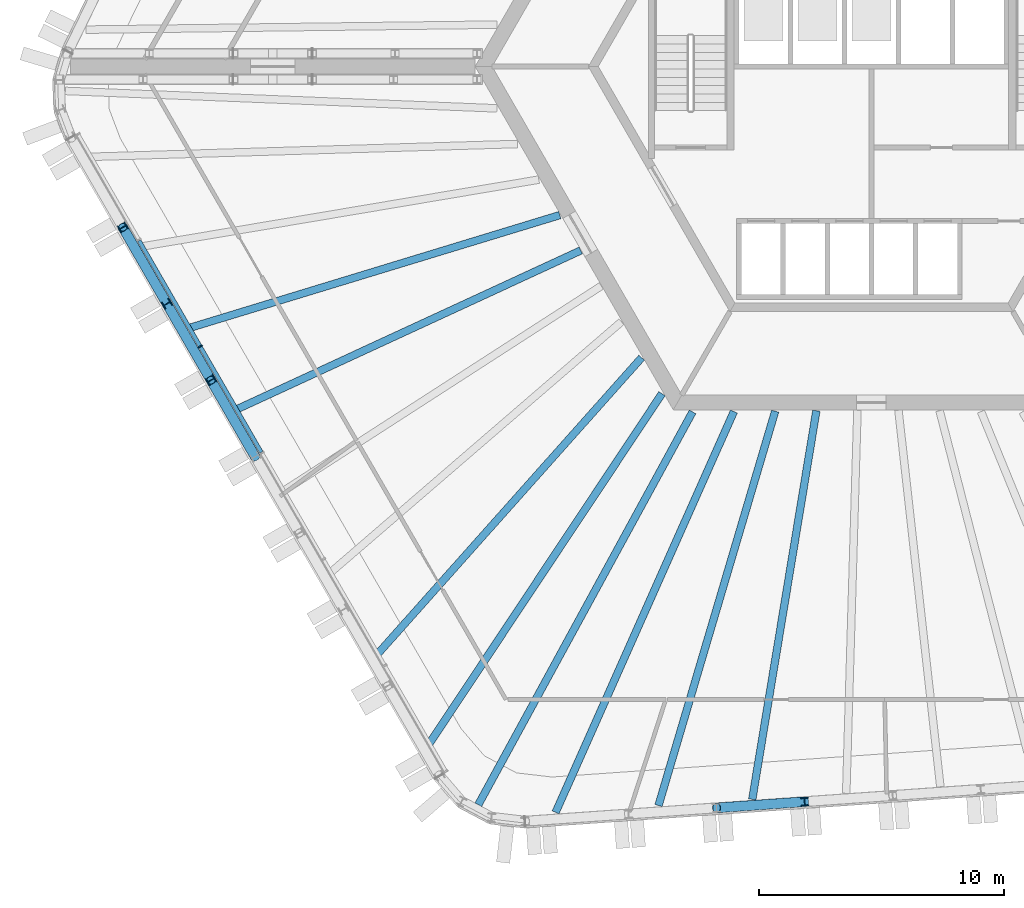
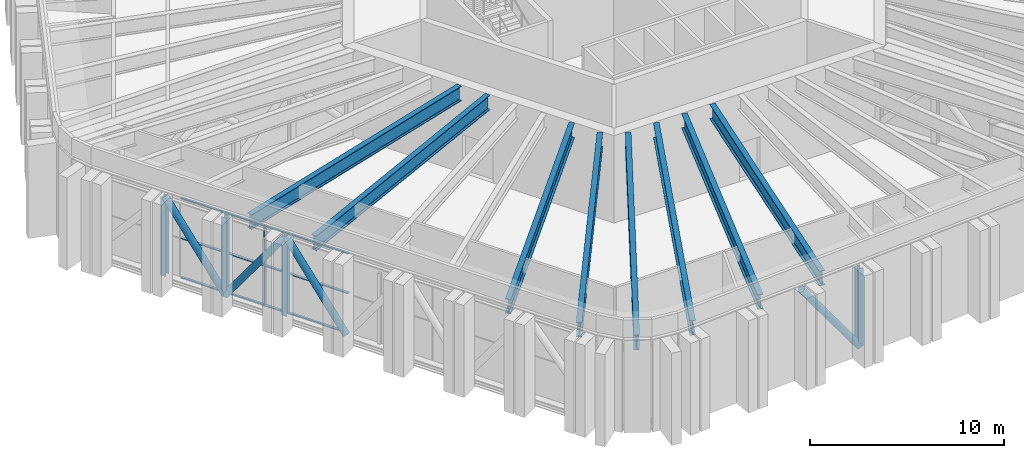
# One storey, part 2 of 27: 15 members, 8 beams, 1 element without a shape of its own.
"""IFC4 building model written with IfcOpenShell, lengths in metres."""

from ifc_helpers import new_model, si_unit, direction, frame, origin, origin_2d, place, context, subcontext, project, spatial, rectangle, hollow_circle, i_section, extrude, material, material_profile, profile_set, type_object, element, aggregate, save


model = new_model("IFC4")

# Units and contexts
model_context = context("Model", 3, precision=1e-05, world=origin(), true_north=direction((0.0, 1.0)))
body_context = subcontext(model_context, "Body", "Model", "MODEL_VIEW")
ifc_project = project(units=[si_unit("LENGTHUNIT", "METRE"), si_unit("AREAUNIT", "SQUARE_METRE"), si_unit("VOLUMEUNIT", "CUBIC_METRE"), si_unit("PLANEANGLEUNIT", "RADIAN"), si_unit("MASSUNIT", "GRAM", prefix="KILO")], contexts=[model_context])

# Site, building, storey
site_placement = place(None, origin())
site = spatial("IfcSite", under=ifc_project, at=site_placement, CompositionType="ELEMENT")
building_placement = place(site_placement, origin())
building = spatial("IfcBuilding", under=site, at=building_placement, Name="Tarnside Tower", CompositionType="ELEMENT")
storey_placement = place(building_placement, frame((0.0, 0.0, 146.699951171875)))
storey = spatial("IfcBuildingStorey", under=building, at=storey_placement, Name="L34", CompositionType="ELEMENT", Elevation=146.699951171875)

# Beams
ifc_material_1 = material(Name="Steel S355", Category="steel")
ifc_material_profile_1 = material_profile(ifc_material_1, i_section(OverallWidth=0.3076171875, OverallDepth=0.926513671875, WebThickness=0.01953125, FlangeThickness=0.031982421875, FilletRadius=0.01904296875, at=origin_2d()), Name="UB 914x305x289")
ifc_profile_set_1 = profile_set([ifc_material_profile_1], Name="Steel S355")
beam_type = type_object("IfcBeamType", Name="Floor beam UB 914x305x289", PredefinedType="BEAM", material=ifc_profile_set_1)
beam_1_placement = place(storey_placement, frame((-27.875, -10.67919921875, 5.036865234375), z_axis=(0.956592887918, 0.291427601274, 0.0), x_axis=(-0.291427601274, 0.956592887918, 0.0)))
element("IfcBeam", 1, at=beam_1_placement, inside=storey, type_object=beam_type, Name="Floor beam F3.03", PredefinedType="BEAM", context=body_context, shape_type="SweptSolid", body=[
    extrude(i_section(OverallWidth=0.3076171875, OverallDepth=0.926513671875, WebThickness=0.01953125, FlangeThickness=0.031982421875, FilletRadius=0.01904296875, at=origin_2d()), origin(), (0.0, 0.0, 1.0), 15.850830078125),
])
beam_2_placement = place(storey_placement, frame((-25.968994140625, -14.0185546875, 5.036865234375), z_axis=(0.907877997669, 0.419234470611, 0.0), x_axis=(-0.419234470611, 0.907877997669, 0.0)))
element("IfcBeam", 2, at=beam_2_placement, inside=storey, type_object=beam_type, Name="Floor beam F3.04", PredefinedType="BEAM", context=body_context, shape_type="SweptSolid", body=[
    extrude(i_section(OverallWidth=0.3076171875, OverallDepth=0.926513671875, WebThickness=0.01953125, FlangeThickness=0.031982421875, FilletRadius=0.01904296875, at=origin_2d()), origin(), (0.0, 0.0, 1.0), 15.54345703125),
])
beam_3_placement = place(storey_placement, frame((-20.168701171875, -23.99072265625, 5.036865234375), z_axis=(0.665232885206, 0.746635927638, 0.0), x_axis=(-0.746635927638, 0.665232885206, 0.0)))
element("IfcBeam", 3, at=beam_3_placement, inside=storey, type_object=beam_type, Name="Floor beam F3.07", PredefinedType="BEAM", context=body_context, shape_type="SweptSolid", body=[
    extrude(i_section(OverallWidth=0.3076171875, OverallDepth=0.926513671875, WebThickness=0.01953125, FlangeThickness=0.031982421875, FilletRadius=0.01904296875, at=origin_2d()), origin(), (0.0, 0.0, 1.0), 16.225341796875),
])
beam_4_placement = place(storey_placement, frame((-18.046142578125, -27.6376953125, 5.036865234375), z_axis=(0.553577074401, 0.832797948303, 0.0), x_axis=(-0.832797948303, 0.553577074401, 0.0)))
element("IfcBeam", 4, at=beam_4_placement, inside=storey, type_object=beam_type, Name="Floor beam F3.08", PredefinedType="BEAM", context=body_context, shape_type="SweptSolid", body=[
    extrude(i_section(OverallWidth=0.3076171875, OverallDepth=0.926513671875, WebThickness=0.01953125, FlangeThickness=0.031982421875, FilletRadius=0.01904296875, at=origin_2d()), origin(), (0.0, 0.0, 1.0), 17.163818359375),
])
beam_5_placement = place(storey_placement, frame((-16.035400390625, -30.109375, 5.036865234375), z_axis=(0.478863378022, 0.877889437907, 0.0), x_axis=(-0.877889437907, 0.478863378022, 0.0)))
element("IfcBeam", 5, at=beam_5_placement, inside=storey, type_object=beam_type, Name="Floor beam C3", PredefinedType="BEAM", context=body_context, shape_type="SweptSolid", body=[
    extrude(i_section(OverallWidth=0.3076171875, OverallDepth=0.926513671875, WebThickness=0.01953125, FlangeThickness=0.031982421875, FilletRadius=0.01904296875, at=origin_2d()), origin(), (0.0, 0.0, 1.0), 18.25),
])
beam_6_placement = place(storey_placement, frame((-12.882080078125, -30.4208984375, 5.036865234375), z_axis=(0.406384066627, 0.913702353281, 0.0), x_axis=(-0.913702353281, 0.406384066627, 0.0)))
element("IfcBeam", 6, at=beam_6_placement, inside=storey, type_object=beam_type, Name="Floor beam F4.01", PredefinedType="BEAM", context=body_context, shape_type="SweptSolid", body=[
    extrude(i_section(OverallWidth=0.3076171875, OverallDepth=0.926513671875, WebThickness=0.01953125, FlangeThickness=0.031982421875, FilletRadius=0.01904296875, at=origin_2d()), origin(), (0.0, 0.0, 1.0), 17.891845703125),
])
beam_7_placement = place(storey_placement, frame((-8.685791015625, -30.14208984375, 5.036865234375), z_axis=(0.283745879096, 0.958899513034, 0.0), x_axis=(-0.958899513034, 0.283745879096, 0.0)))
element("IfcBeam", 7, at=beam_7_placement, inside=storey, type_object=beam_type, Name="Floor beam F4.02", PredefinedType="BEAM", context=body_context, shape_type="SweptSolid", body=[
    extrude(i_section(OverallWidth=0.3076171875, OverallDepth=0.926513671875, WebThickness=0.01953125, FlangeThickness=0.031982421875, FilletRadius=0.01904296875, at=origin_2d()), origin(), (0.0, 0.0, 1.0), 16.77392578125),
])
beam_8_placement = place(storey_placement, frame((-4.86181640625, -29.891845703125, 5.036865234375), z_axis=(0.162804478202, 0.986658351142, 0.0), x_axis=(-0.986658351142, 0.162804478202, 0.0)))
element("IfcBeam", 8, at=beam_8_placement, inside=storey, type_object=beam_type, Name="Floor beam F4.03", PredefinedType="BEAM", context=body_context, shape_type="SweptSolid", body=[
    extrude(i_section(OverallWidth=0.3076171875, OverallDepth=0.926513671875, WebThickness=0.01953125, FlangeThickness=0.031982421875, FilletRadius=0.01904296875, at=origin_2d()), origin(), (0.0, 0.0, 1.0), 16.066650390625),
])

# Curtain wall, members
ifc_material_2 = material(Name="Sky lobby glazing wall", Category="glass")
curtain_wall_type = type_object("IfcCurtainWallType", Name="Sky lobby glazing wall", PredefinedType="NOTDEFINED", material=ifc_material_2)
curtain_wall_placement = place(storey_placement, origin())
curtain_wall = element("IfcCurtainWall", 9, at=curtain_wall_placement, inside=storey, type_object=curtain_wall_type, Name="Sky lobby glazing L34 F3", PredefinedType="NOTDEFINED")
ifc_material_3 = material(Name="Aluminium alloy 6063", Category="aluminium")
ifc_material_profile_2 = material_profile(ifc_material_3, rectangle(XDim=0.199951171875, YDim=0.06005859375, at=origin_2d()), Name="Sky lobby glazing mullion 60 x 200")
ifc_profile_set_2 = profile_set([ifc_material_profile_2], Name="Aluminium alloy 6063")
member_type_1 = type_object("IfcMemberType", Name="Sky lobby glazing mullion 60 x 200", PredefinedType="MULLION", material=ifc_profile_set_2)
member_1_placement = place(storey_placement, frame((-27.3779296875, -11.41796875, 0.0), z_axis=(0.0, 0.0, 1.0), x_axis=(0.866025403793, 0.499999999985, 0.0)))
member_1 = element("IfcMember", 10, at=member_1_placement, type_object=member_type_1, Name="CW4 mullion 3", PredefinedType="MULLION", context=body_context, shape_type="SweptSolid", body=[
    extrude(rectangle(XDim=0.199951171875, YDim=0.06005859375, at=origin_2d()), origin(), (0.0, 0.0, 1.0), 5.0634765625),
])
ifc_material_profile_3 = material_profile(ifc_material_3, rectangle(XDim=0.159912109375, YDim=0.06005859375, at=origin_2d()), Name="Sky lobby glazing transom 60 x 160")
ifc_profile_set_3 = profile_set([ifc_material_profile_3], Name="Aluminium alloy 6063")
member_type_2 = type_object("IfcMemberType", Name="Sky lobby glazing transom 60 x 160", PredefinedType="USERDEFINED", material=ifc_profile_set_3)
member_2_placement = place(storey_placement, frame((-29.868896484375, -7.103515625, 0.030029296875), z_axis=(0.500031153819, -0.866007416371, 0.0), x_axis=(0.866007416371, 0.500031153819, 0.0)))
member_2 = element("IfcMember", 11, at=member_2_placement, type_object=member_type_2, Name="CW4 transom 2.1", ObjectType="TRANSOM", PredefinedType="USERDEFINED", context=body_context, shape_type="SweptSolid", body=[
    extrude(rectangle(XDim=0.159912109375, YDim=0.06005859375, at=origin_2d()), origin(), (0.0, 0.0, 1.0), 4.951904296875),
])
member_3_placement = place(storey_placement, frame((-29.868896484375, -7.103515625, 2.53173828125), z_axis=(0.500031153819, -0.866007416371, 0.0), x_axis=(0.866007416371, 0.500031153819, 0.0)))
member_3 = element("IfcMember", 12, at=member_3_placement, type_object=member_type_2, Name="CW4 transom 2.2", ObjectType="TRANSOM", PredefinedType="USERDEFINED", context=body_context, shape_type="SweptSolid", body=[
    extrude(rectangle(XDim=0.159912109375, YDim=0.06005859375, at=origin_2d()), origin(), (0.0, 0.0, 1.0), 4.951904296875),
])
member_4_placement = place(storey_placement, frame((-29.868896484375, -7.103515625, 5.033447265625), z_axis=(0.500031153819, -0.866007416371, 0.0), x_axis=(0.866007416371, 0.500031153819, 0.0)))
member_4 = element("IfcMember", 13, at=member_4_placement, type_object=member_type_2, Name="CW4 transom 2.3", ObjectType="TRANSOM", PredefinedType="USERDEFINED", context=body_context, shape_type="SweptSolid", body=[
    extrude(rectangle(XDim=0.159912109375, YDim=0.06005859375, at=origin_2d()), origin(), (0.0, 0.0, 1.0), 4.951904296875),
])
member_5_placement = place(storey_placement, frame((-27.36279296875, -11.44384765625, 0.030029296875), z_axis=(0.499994176729, -0.866028765826, 0.0), x_axis=(0.866028765826, 0.499994176729, 0.0)))
member_5 = element("IfcMember", 14, at=member_5_placement, type_object=member_type_2, Name="CW4 transom 3.1", ObjectType="TRANSOM", PredefinedType="USERDEFINED", context=body_context, shape_type="SweptSolid", body=[
    extrude(rectangle(XDim=0.159912109375, YDim=0.06005859375, at=origin_2d()), origin(), (0.0, 0.0, 1.0), 4.95166015625),
])
member_6_placement = place(storey_placement, frame((-27.36279296875, -11.44384765625, 2.53173828125), z_axis=(0.499994176729, -0.866028765826, 0.0), x_axis=(0.866028765826, 0.499994176729, 0.0)))
member_6 = element("IfcMember", 15, at=member_6_placement, type_object=member_type_2, Name="CW4 transom 3.2", ObjectType="TRANSOM", PredefinedType="USERDEFINED", context=body_context, shape_type="SweptSolid", body=[
    extrude(rectangle(XDim=0.159912109375, YDim=0.06005859375, at=origin_2d()), origin(), (0.0, 0.0, 1.0), 4.95166015625),
])
member_7_placement = place(storey_placement, frame((-27.36279296875, -11.44384765625, 5.033447265625), z_axis=(0.499994176729, -0.866028765826, 0.0), x_axis=(0.866028765826, 0.499994176729, 0.0)))
member_7 = element("IfcMember", 16, at=member_7_placement, type_object=member_type_2, Name="CW4 transom 3.3", ObjectType="TRANSOM", PredefinedType="USERDEFINED", context=body_context, shape_type="SweptSolid", body=[
    extrude(rectangle(XDim=0.159912109375, YDim=0.06005859375, at=origin_2d()), origin(), (0.0, 0.0, 1.0), 4.95166015625),
])
aggregate(curtain_wall, [member_1, member_2, member_3, member_4, member_5, member_6, member_7])

# Members
ifc_material_profile_4 = material_profile(ifc_material_1, hollow_circle(Radius=0.203125, WallThickness=0.01611328125, at=origin_2d()), Name="CHS 406.4x16")
ifc_profile_set_4 = profile_set([ifc_material_profile_4], Name="Steel S355")
member_type_3 = type_object("IfcMemberType", Name="Truss diagonal CHS 406.4x16", PredefinedType="BRACE", material=ifc_profile_set_4)
member_8_placement = place(storey_placement, frame((-30.537109375, -6.55810546875, 5.0634765625), z_axis=(0.294313741712, -0.509749963605, -0.808414742594), x_axis=(0.866018442252, 0.500012057535, 0.0)))
element("IfcMember", 17, at=member_8_placement, inside=storey, type_object=member_type_3, Name="Belt truss diagonal L34 24", PredefinedType="BRACE", context=body_context, shape_type="SweptSolid", body=[
    extrude(hollow_circle(Radius=0.203125, WallThickness=0.01611328125, at=origin_2d()), origin(), (0.0, 0.0, 1.0), 6.115966796875),
])
member_9_placement = place(storey_placement, frame((-28.737060546875, -9.67578125, 0.119140625), z_axis=(0.29430775294, -0.509779508042, 0.808398292762), x_axis=(0.866035395735, 0.499982693035, 0.0)))
element("IfcMember", 18, at=member_9_placement, inside=storey, type_object=member_type_3, Name="Belt truss diagonal L34 25", PredefinedType="BRACE", context=body_context, shape_type="SweptSolid", body=[
    extrude(hollow_circle(Radius=0.203125, WallThickness=0.01611328125, at=origin_2d()), origin(), (0.0, 0.0, 1.0), 6.1162109375),
])
member_10_placement = place(storey_placement, frame((-26.93701171875, -12.793701171875, 5.0634765625), z_axis=(0.294277280997, -0.509755952025, -0.808424239656), x_axis=(0.866047807691, 0.499961193289, 0.0)))
element("IfcMember", 19, at=member_10_placement, inside=storey, type_object=member_type_3, Name="Belt truss diagonal L34 26", PredefinedType="BRACE", context=body_context, shape_type="SweptSolid", body=[
    extrude(hollow_circle(Radius=0.203125, WallThickness=0.01611328125, at=origin_2d()), origin(), (0.0, 0.0, 1.0), 6.115966796875),
])
member_11_placement = place(storey_placement, frame((-6.317138671875, -30.2392578125, 5.0634765625), z_axis=(0.587187236688, 0.041035246724, -0.808410327492), x_axis=(-0.069714402923, 0.997566991247, 0.0)))
element("IfcMember", 20, at=member_11_placement, inside=storey, type_object=member_type_3, Name="Belt truss diagonal L34 36", PredefinedType="BRACE", context=body_context, shape_type="SweptSolid", body=[
    extrude(hollow_circle(Radius=0.203125, WallThickness=0.01611328125, at=origin_2d()), origin(), (0.0, 0.0, 1.0), 6.1162109375),
])
ifc_material_profile_5 = material_profile(ifc_material_1, i_section(OverallWidth=0.314453125, OverallDepth=0.33984375, WebThickness=0.01904296875, FlangeThickness=0.031494140625, FilletRadius=0.01513671875, at=origin_2d()), Name="UC 305x305x198")
ifc_profile_set_5 = profile_set([ifc_material_profile_5], Name="Steel S355")
member_type_4 = type_object("IfcMemberType", Name="Truss post UC 305x305x198", PredefinedType="POST", material=ifc_profile_set_5)
for number, where, z_axis, x_axis, name in (
    (21, (-30.537109375, -6.55810546875, 0.119140625), (0.0, 0.0, 1.0), (0.5, -0.866025403784, 0.0), "Belt truss post L34 24"),
    (22, (-28.737060546875, -9.67578125, 0.119140625), (0.0, 0.0, 1.0), (0.5, -0.866025403784, 0.0), "Belt truss post L34 25"),
    (23, (-26.93701171875, -12.793701171875, 0.119140625), (0.0, 0.0, 1.0), (0.5, -0.866025403784, 0.0), "Belt truss post L34 26"),
    (24, (-2.725830078125, -29.98828125, 0.119140625), (0.0, 0.0, 1.0), (0.99756405026, 0.069756473744, 0.0), "Belt truss post L34 37"),
):
    element("IfcMember", number, at=place(storey_placement, frame(where, z_axis=z_axis, x_axis=x_axis)), inside=storey, type_object=member_type_4, Name=name, PredefinedType="POST", context=body_context, shape_type="SweptSolid", body=[
        extrude(i_section(OverallWidth=0.314453125, OverallDepth=0.33984375, WebThickness=0.01904296875, FlangeThickness=0.031494140625, FilletRadius=0.01513671875, at=origin_2d()), origin(), (0.0, 0.0, 1.0), 4.9443359375),
    ])

save(model, "model.ifc")
